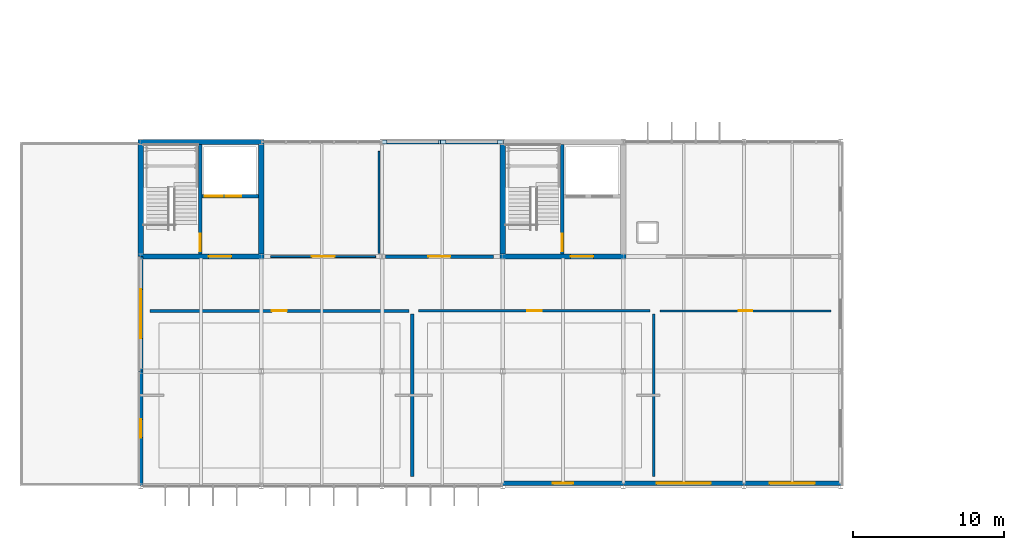
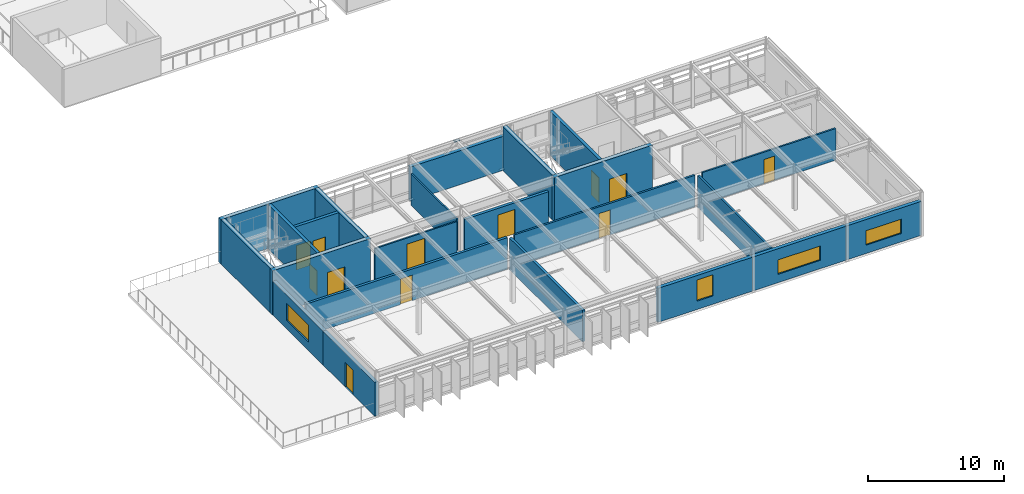
# One storey, part 15 of 21: 23 walls, 12 doors, 4 plates, 4 windows, 16 openings.
"""IFC4 building model written with IfcOpenShell, lengths in metres."""

from ifc_helpers import new_model, si_unit, direction, frame, frame_2d, origin, origin_2d, place, context, subcontext, project, spatial, rectangle, extrude, material, layer, layer_set, type_object, element, fill, save


model = new_model("IFC4")

# Units and contexts
model_context = context("Model", 3, precision=1e-05, world=origin(), true_north=direction((0.0, 1.0)))
body_context = subcontext(model_context, "Body", "Model", "MODEL_VIEW")
ifc_project = project(units=[si_unit("LENGTHUNIT", "METRE"), si_unit("AREAUNIT", "SQUARE_METRE"), si_unit("VOLUMEUNIT", "CUBIC_METRE"), si_unit("PLANEANGLEUNIT", "RADIAN"), si_unit("MASSUNIT", "GRAM", prefix="KILO")], contexts=[model_context])

# Site, building, storey
site_placement = place(None, origin())
site = spatial("IfcSite", under=ifc_project, at=site_placement, CompositionType="ELEMENT")
building_placement = place(site_placement, origin())
building = spatial("IfcBuilding", under=site, at=building_placement, Name="Zulena Civic Courthouse", CompositionType="ELEMENT")
storey_placement = place(building_placement, frame((0.0, 0.0, 37.800048828125)))
storey = spatial("IfcBuildingStorey", under=building, at=storey_placement, Name="L08", CompositionType="ELEMENT", Elevation=37.800048828125)

# Plates
ifc_material_1 = material(Name="Steel ASTM A572 Grade 50", Category="steel")
ifc_layer_1 = layer(ifc_material_1, 0.02197265625)
ifc_layer_set_1 = layer_set([ifc_layer_1], Name="Steel ASTM A572 Grade 50")
plate_type = type_object("IfcPlateType", Name="GussetPlate_380x280x22", PredefinedType="SHEET", material=ifc_layer_set_1)
for number, where, z_axis, x_axis, name in (
    (1, (36.14990234375, 22.800048828125, -0.0009765625), (0.0, 0.0, 1.0), (1.0, 0.0, 0.0), "plate:br:V2:L08:1:0:0"),
    (2, (39.949951171875, 22.800048828125, 3.948974609375), (0.0, 0.0, 1.0), (1.0, 0.0, 0.0), "plate:br:V2:L08:1:0:1"),
    (3, (43.85009765625, 22.800048828125, -0.0009765625), (0.0, 0.0, 1.0), (1.0, 0.0, 0.0), "plate:br:V2:L08:1:1:0"),
    (4, (40.050048828125, 22.800048828125, 3.948974609375), (0.0, 0.0, 1.0), (1.0, 0.0, 0.0), "plate:br:V2:L08:1:1:1"),
):
    element("IfcPlate", number, at=place(storey_placement, frame(where, z_axis=z_axis, x_axis=x_axis)), inside=storey, type_object=plate_type, Name=name, PredefinedType="SHEET", context=body_context, shape_type="SweptSolid", body=[
        extrude(rectangle(XDim=0.3798828125, YDim=0.280029296875, at=origin_2d()), origin(), (0.0, 0.0, 1.0), 0.02197265625),
    ])

# Wall, opening, door
ifc_material_2 = material(Name="Concrete C40/50", Category="concrete")
ifc_layer_2 = layer(ifc_material_2, 0.25)
ifc_layer_set_2 = layer_set([ifc_layer_2], Name="Concrete C40/50")
wall_type_1 = type_object("IfcWallType", Name="CoreShearWall_RC250", PredefinedType="SHEAR", material=ifc_layer_set_2)
wall_1_placement = place(storey_placement, frame((23.949951171875, 15.375, 0.0), z_axis=(0.0, 0.0, 1.0), x_axis=(0.0, 1.0, 0.0)))
wall_1 = element("IfcWall", 5, at=wall_1_placement, inside=storey, type_object=wall_type_1, Name="cwall:K2A:L08:DIV", PredefinedType="SHEAR", context=body_context, shape_type="SweptSolid", body=[
    extrude(rectangle(XDim=7.25, YDim=0.25, at=frame_2d((3.625, 0.0))), origin(), (0.0, 0.0, 1.0), 3.989990234375),
])
opening_1_placement = place(wall_1_placement, frame((0.179931640625, 0.0, 0.0)))
opening_1 = element("IfcOpeningElement", 6, at=opening_1_placement, cuts=wall_1, Name="Opening ID08", PredefinedType="OPENING", context=body_context, shape_type="SweptSolid", body=[
    extrude(rectangle(XDim=1.14990234375, YDim=2.199951171875, at=frame_2d((0.574951171875, 1.10009765625))), frame((0.0, 0.135009765625, 0.0), z_axis=(0.0, -1.0, 0.0), x_axis=(1.0, 0.0, 0.0)), (0.0, 0.0, 1.0), 0.27001953125),
])
ifc_material_3 = material(Name="Fire-rated galvanised steel ASTM A653 Grade 50", Category="steel")
door_type_1 = type_object("IfcDoorType", Name="IntDoor_Stair_1150x2200", OperationType="NOTDEFINED", PredefinedType="DOOR", material=ifc_material_3)
door_1_placement = place(opening_1_placement, origin())
door_1 = element("IfcDoor", 7, at=door_1_placement, inside=storey, type_object=door_type_1, Name="door:stair:K2A:L08", OperationType="SINGLE_SWING_LEFT", OverallHeight=2.199951171875, OverallWidth=1.14990234375, PredefinedType="DOOR", context=body_context, shape_type="SweptSolid", body=[
    extrude(rectangle(XDim=1.14990234375, YDim=2.199951171875, at=frame_2d((0.574951171875, 1.10009765625))), frame((0.0, 0.02490234375, 0.0), z_axis=(0.0, -1.0, 0.0), x_axis=(1.0, 0.0, 0.0)), (0.0, 0.0, 1.0), 0.050048828125),
])
fill(opening_1, door_1)

# Wall, openings, doors
wall_2_placement = place(storey_placement, frame((24.074951171875, 19.199951171875, 0.0), z_axis=(0.0, 0.0, 1.0), x_axis=(1.0, 0.0, 0.0)))
wall_2 = element("IfcWall", 8, at=wall_2_placement, inside=storey, type_object=wall_type_1, Name="cwall:K2A:L08:SHF", PredefinedType="SHEAR", context=body_context, shape_type="SweptSolid", body=[
    extrude(rectangle(XDim=3.75, YDim=0.25, at=frame_2d((1.875, 0.0))), origin(), (0.0, 0.0, 1.0), 3.989990234375),
])
opening_2_placement = place(wall_2_placement, frame((0.179931640625, 0.0, 0.0)))
opening_2 = element("IfcOpeningElement", 9, at=opening_2_placement, cuts=wall_2, Name="Opening LD01", PredefinedType="OPENING", context=body_context, shape_type="SweptSolid", body=[
    extrude(rectangle(XDim=1.199951171875, YDim=2.199951171875, at=frame_2d((0.60009765625, 1.10009765625))), frame((0.0, 0.135009765625, 0.0), z_axis=(0.0, -1.0, 0.0), x_axis=(1.0, 0.0, 0.0)), (0.0, 0.0, 1.0), 0.27001953125),
])
opening_3_placement = place(wall_2_placement, frame((1.550048828125, 0.0, 0.0)))
opening_3 = element("IfcOpeningElement", 10, at=opening_3_placement, cuts=wall_2, Name="Opening LD03", PredefinedType="OPENING", context=body_context, shape_type="SweptSolid", body=[
    extrude(rectangle(XDim=1.050048828125, YDim=2.199951171875, at=frame_2d((0.52490234375, 1.10009765625))), frame((0.0, 0.135009765625, 0.0), z_axis=(0.0, -1.0, 0.0), x_axis=(1.0, 0.0, 0.0)), (0.0, 0.0, 1.0), 0.27001953125),
])
door_type_2 = type_object("IfcDoorType", Name="LiftLandingDoor_FF_1200x2200", OperationType="SLIDING_TO_LEFT", PredefinedType="DOOR", material=ifc_material_3)
door_2_placement = place(opening_2_placement, origin())
door_2 = element("IfcDoor", 11, at=door_2_placement, inside=storey, type_object=door_type_2, Name="door:ld:FL-01:L08", OperationType="SLIDING_TO_LEFT", OverallHeight=2.199951171875, OverallWidth=1.199951171875, PredefinedType="DOOR", context=body_context, shape_type="SweptSolid", body=[
    extrude(rectangle(XDim=1.199951171875, YDim=2.199951171875, at=frame_2d((0.60009765625, 1.10009765625))), frame((0.0, 0.02490234375, 0.0), z_axis=(0.0, -1.0, 0.0), x_axis=(1.0, 0.0, 0.0)), (0.0, 0.0, 1.0), 0.050048828125),
])
fill(opening_2, door_2)
door_type_3 = type_object("IfcDoorType", Name="LiftLandingDoor_Jud_1050x2200", OperationType="SLIDING_TO_RIGHT", PredefinedType="DOOR", material=ifc_material_3)
door_3_placement = place(opening_3_placement, origin())
door_3 = element("IfcDoor", 12, at=door_3_placement, inside=storey, type_object=door_type_3, Name="door:ld:JL-01:L08", OperationType="SLIDING_TO_RIGHT", OverallHeight=2.199951171875, OverallWidth=1.050048828125, PredefinedType="DOOR", context=body_context, shape_type="SweptSolid", body=[
    extrude(rectangle(XDim=1.050048828125, YDim=2.199951171875, at=frame_2d((0.52490234375, 1.10009765625))), frame((0.0, 0.02490234375, 0.0), z_axis=(0.0, -1.0, 0.0), x_axis=(1.0, 0.0, 0.0)), (0.0, 0.0, 1.0), 0.050048828125),
])
fill(opening_3, door_3)

# Wall, opening, door
wall_3_placement = place(storey_placement, frame((47.949951171875, 15.375, 0.0), z_axis=(0.0, 0.0, 1.0), x_axis=(0.0, 1.0, 0.0)))
wall_3 = element("IfcWall", 13, at=wall_3_placement, inside=storey, type_object=wall_type_1, Name="cwall:K2B:L08:DIV", PredefinedType="SHEAR", context=body_context, shape_type="SweptSolid", body=[
    extrude(rectangle(XDim=7.25, YDim=0.25, at=frame_2d((3.625, 0.0))), origin(), (0.0, 0.0, 1.0), 3.989990234375),
])
opening_4_placement = place(wall_3_placement, frame((0.179931640625, 0.0, 0.0)))
opening_4 = element("IfcOpeningElement", 14, at=opening_4_placement, cuts=wall_3, Name="Opening ID08", PredefinedType="OPENING", context=body_context, shape_type="SweptSolid", body=[
    extrude(rectangle(XDim=1.14990234375, YDim=2.199951171875, at=frame_2d((0.574951171875, 1.10009765625))), frame((0.0, 0.135009765625, 0.0), z_axis=(0.0, -1.0, 0.0), x_axis=(1.0, 0.0, 0.0)), (0.0, 0.0, 1.0), 0.27001953125),
])
door_4_placement = place(opening_4_placement, origin())
door_4 = element("IfcDoor", 15, at=door_4_placement, inside=storey, type_object=door_type_1, Name="door:stair:K2B:L08", OperationType="SINGLE_SWING_LEFT", OverallHeight=2.199951171875, OverallWidth=1.14990234375, PredefinedType="DOOR", context=body_context, shape_type="SweptSolid", body=[
    extrude(rectangle(XDim=1.14990234375, YDim=2.199951171875, at=frame_2d((0.574951171875, 1.10009765625))), frame((0.0, 0.02490234375, 0.0), z_axis=(0.0, -1.0, 0.0), x_axis=(1.0, 0.0, 0.0)), (0.0, 0.0, 1.0), 0.050048828125),
])
fill(opening_4, door_4)

ifc_layer_3 = layer(ifc_material_2, 0.35009765625)
ifc_layer_set_3 = layer_set([ifc_layer_3], Name="Concrete C40/50")
wall_type_2 = type_object("IfcWallType", Name="CoreShearWall_RC350", PredefinedType="SHEAR", material=ifc_layer_set_3)
wall_4_placement = place(storey_placement, frame((19.824951171875, 15.199951171875, 0.0), z_axis=(0.0, 0.0, 1.0), x_axis=(1.0, 0.0, 0.0)))
wall_4 = element("IfcWall", 16, at=wall_4_placement, inside=storey, type_object=wall_type_2, Name="cwall:K2A:L08:S", PredefinedType="SHEAR", context=body_context, shape_type="SweptSolid", body=[
    extrude(rectangle(XDim=8.35009765625, YDim=0.35009765625, at=frame_2d((4.175048828125, 0.0))), origin(), (0.0, 0.0, 1.0), 3.989990234375),
])
opening_5_placement = place(wall_4_placement, frame((4.68505859375, 0.0, 0.0)))
opening_5 = element("IfcOpeningElement", 17, at=opening_5_placement, cuts=wall_4, Name="Opening ID05", PredefinedType="OPENING", context=body_context, shape_type="SweptSolid", body=[
    extrude(rectangle(XDim=1.5, YDim=2.199951171875, at=frame_2d((0.75, 1.10009765625))), frame((0.0, 0.18505859375, 0.0), z_axis=(0.0, -1.0, 0.0), x_axis=(1.0, 0.0, 0.0)), (0.0, 0.0, 1.0), 0.3701171875),
])
door_type_4 = type_object("IfcDoorType", Name="IntDoor_FFLobby_1500x2200", OperationType="DOUBLE_DOOR_SINGLE_SWING", PredefinedType="DOOR", material=ifc_material_3)
door_5_placement = place(opening_5_placement, origin())
door_5 = element("IfcDoor", 18, at=door_5_placement, inside=storey, type_object=door_type_4, Name="door:corelob:K2A:L08", OperationType="DOUBLE_DOOR_SINGLE_SWING", OverallHeight=2.199951171875, OverallWidth=1.5, PredefinedType="DOOR", context=body_context, shape_type="SweptSolid", body=[
    extrude(rectangle(XDim=1.5, YDim=2.199951171875, at=frame_2d((0.75, 1.10009765625))), frame((0.0, 0.02490234375, 0.0), z_axis=(0.0, -1.0, 0.0), x_axis=(1.0, 0.0, 0.0)), (0.0, 0.0, 1.0), 0.050048828125),
])
fill(opening_5, door_5)

# Walls
wall_5_placement = place(storey_placement, frame((19.824951171875, 22.800048828125, 0.0), z_axis=(0.0, 0.0, 1.0), x_axis=(1.0, 0.0, 0.0)))
element("IfcWall", 19, at=wall_5_placement, inside=storey, type_object=wall_type_2, Name="cwall:K2A:L08:N", PredefinedType="SHEAR", context=body_context, shape_type="SweptSolid", body=[
    extrude(rectangle(XDim=8.35009765625, YDim=0.35009765625, at=frame_2d((4.175048828125, 0.0))), origin(), (0.0, 0.0, 1.0), 3.989990234375),
])
for number, where, z_axis, x_axis, name in (
    (20, (20.0, 15.375, 0.0), (0.0, 0.0, 1.0), (0.0, 1.0, 0.0), "cwall:K2A:L08:W"),
    (21, (28.0, 15.375, 0.0), (0.0, 0.0, 1.0), (0.0, 1.0, 0.0), "cwall:K2A:L08:E"),
):
    element("IfcWall", number, at=place(storey_placement, frame(where, z_axis=z_axis, x_axis=x_axis)), inside=storey, type_object=wall_type_2, Name=name, PredefinedType="SHEAR", context=body_context, shape_type="SweptSolid", body=[
        extrude(rectangle(XDim=7.25, YDim=0.35009765625, at=frame_2d((3.625, 0.0))), origin(), (0.0, 0.0, 1.0), 3.989990234375),
    ])

# Wall, opening, door
wall_6_placement = place(storey_placement, frame((43.824951171875, 15.199951171875, 0.0), z_axis=(0.0, 0.0, 1.0), x_axis=(1.0, 0.0, 0.0)))
wall_6 = element("IfcWall", 22, at=wall_6_placement, inside=storey, type_object=wall_type_2, Name="cwall:K2B:L08:S", PredefinedType="SHEAR", context=body_context, shape_type="SweptSolid", body=[
    extrude(rectangle(XDim=8.35009765625, YDim=0.35009765625, at=frame_2d((4.175048828125, 0.0))), origin(), (0.0, 0.0, 1.0), 3.989990234375),
])
opening_6_placement = place(wall_6_placement, frame((4.68505859375, 0.0, 0.0)))
opening_6 = element("IfcOpeningElement", 23, at=opening_6_placement, cuts=wall_6, Name="Opening ID05", PredefinedType="OPENING", context=body_context, shape_type="SweptSolid", body=[
    extrude(rectangle(XDim=1.5, YDim=2.199951171875, at=frame_2d((0.75, 1.10009765625))), frame((0.0, 0.18505859375, 0.0), z_axis=(0.0, -1.0, 0.0), x_axis=(1.0, 0.0, 0.0)), (0.0, 0.0, 1.0), 0.3701171875),
])
door_6_placement = place(opening_6_placement, origin())
door_6 = element("IfcDoor", 24, at=door_6_placement, inside=storey, type_object=door_type_4, Name="door:corelob:K2B:L08", OperationType="DOUBLE_DOOR_SINGLE_SWING", OverallHeight=2.199951171875, OverallWidth=1.5, PredefinedType="DOOR", context=body_context, shape_type="SweptSolid", body=[
    extrude(rectangle(XDim=1.5, YDim=2.199951171875, at=frame_2d((0.75, 1.10009765625))), frame((0.0, 0.02490234375, 0.0), z_axis=(0.0, -1.0, 0.0), x_axis=(1.0, 0.0, 0.0)), (0.0, 0.0, 1.0), 0.050048828125),
])
fill(opening_6, door_6)

# Wall
wall_7_placement = place(storey_placement, frame((44.0, 15.375, 0.0), z_axis=(0.0, 0.0, 1.0), x_axis=(0.0, 1.0, 0.0)))
element("IfcWall", 25, at=wall_7_placement, inside=storey, type_object=wall_type_2, Name="cwall:K2B:L08:W", PredefinedType="SHEAR", context=body_context, shape_type="SweptSolid", body=[
    extrude(rectangle(XDim=7.25, YDim=0.35009765625, at=frame_2d((3.625, 0.0))), origin(), (0.0, 0.0, 1.0), 3.989990234375),
])

# Wall, opening, door
ifc_material_4 = material(Name="White architectural precast concrete C40/50", Category="concrete")
ifc_layer_4 = layer(ifc_material_4, 0.300048828125)
ifc_layer_set_4 = layer_set([ifc_layer_4], Name="White architectural precast concrete C40/50")
wall_type_3 = type_object("IfcWallType", Name="ExtWall_WhitePrecast_300", PredefinedType="STANDARD", material=ifc_layer_set_4)
wall_8_placement = place(storey_placement, frame((20.0, -0.02001953125, 0.0), z_axis=(0.0, 0.0, 1.0), x_axis=(0.0, 1.0, 0.0)))
wall_8 = element("IfcWall", 26, at=wall_8_placement, inside=storey, type_object=wall_type_3, Name="ewall:V2:L08:0:0", PredefinedType="STANDARD", context=body_context, shape_type="SweptSolid", body=[
    extrude(rectangle(XDim=7.64013671875, YDim=0.300048828125, at=frame_2d((3.820068359375, 0.0))), origin(), (0.0, 0.0, 1.0), 3.06005859375),
])
opening_7_placement = place(wall_8_placement, frame((3.219970703125, 0.0, 0.0)))
opening_7 = element("IfcOpeningElement", 27, at=opening_7_placement, cuts=wall_8, Name="Opening TD02", PredefinedType="OPENING", context=body_context, shape_type="SweptSolid", body=[
    extrude(rectangle(XDim=1.199951171875, YDim=2.199951171875, at=frame_2d((0.60009765625, 1.10009765625))), frame((0.0, 0.159912109375, 0.0), z_axis=(0.0, -1.0, 0.0), x_axis=(1.0, 0.0, 0.0)), (0.0, 0.0, 1.0), 0.320068359375),
])
ifc_material_5 = material(Name="Galvanised architectural steel ASTM A653 Grade 50", Category="steel")
door_type_5 = type_object("IfcDoorType", Name="ExtDoor_Terrace_1200x2200", OperationType="NOTDEFINED", PredefinedType="DOOR", material=ifc_material_5)
door_7_placement = place(opening_7_placement, origin())
door_7 = element("IfcDoor", 28, at=door_7_placement, inside=storey, type_object=door_type_5, Name="door:terrace:TR-V2-L08", OperationType="SINGLE_SWING_RIGHT", OverallHeight=2.199951171875, OverallWidth=1.199951171875, PredefinedType="DOOR", context=body_context, shape_type="SweptSolid", body=[
    extrude(rectangle(XDim=1.199951171875, YDim=2.199951171875, at=frame_2d((0.60009765625, 1.10009765625))), frame((0.0, 0.02490234375, 0.0), z_axis=(0.0, -1.0, 0.0), x_axis=(1.0, 0.0, 0.0)), (0.0, 0.0, 1.0), 0.050048828125),
])
fill(opening_7, door_7)

# Wall, opening, window
wall_9_placement = place(storey_placement, frame((20.0, 7.580078125, 0.0), z_axis=(0.0, 0.0, 1.0), x_axis=(0.0, 1.0, 0.0)))
wall_9 = element("IfcWall", 29, at=wall_9_placement, inside=storey, type_object=wall_type_3, Name="ewall:V2:L08:0:1", PredefinedType="STANDARD", context=body_context, shape_type="SweptSolid", body=[
    extrude(rectangle(XDim=7.639892578125, YDim=0.300048828125, at=frame_2d((3.81982421875, 0.0))), origin(), (0.0, 0.0, 1.0), 3.06005859375),
])
opening_8_placement = place(wall_9_placement, frame((2.195068359375, 0.0, 0.75)))
opening_8 = element("IfcOpeningElement", 30, at=opening_8_placement, cuts=wall_9, Name="Opening WN29", PredefinedType="OPENING", context=body_context, shape_type="SweptSolid", body=[
    extrude(rectangle(XDim=3.25, YDim=1.550048828125, at=frame_2d((1.625, 0.77490234375))), frame((0.0, 0.159912109375, 0.0), z_axis=(0.0, -1.0, 0.0), x_axis=(1.0, 0.0, 0.0)), (0.0, 0.0, 1.0), 0.320068359375),
])
ifc_material_6 = material(Name="Double-silver low-E laminated solar-control glass", Category="glass")
window_type_1 = type_object("IfcWindowType", Name="Win_3250x1550", PartitioningType="DOUBLE_PANEL_VERTICAL", PredefinedType="WINDOW", material=ifc_material_6)
window_1_placement = place(opening_8_placement, origin())
window_1 = element("IfcWindow", 31, at=window_1_placement, inside=storey, type_object=window_type_1, Name="win:V2:L08:0:1", OverallHeight=1.550048828125, OverallWidth=3.25, PartitioningType="SINGLE_PANEL", PredefinedType="WINDOW", context=body_context, shape_type="SweptSolid", body=[
    extrude(rectangle(XDim=3.25, YDim=1.550048828125, at=frame_2d((1.625, 0.77490234375))), frame((0.0, 0.030029296875, 0.0), z_axis=(0.0, -1.0, 0.0), x_axis=(1.0, 0.0, 0.0)), (0.0, 0.0, 1.0), 0.06005859375),
])
fill(opening_8, window_1)

# Wall
wall_10_placement = place(storey_placement, frame((35.97998046875, 22.800048828125, 0.0), z_axis=(0.0, 0.0, 1.0), x_axis=(1.0, 0.0, 0.0)))
element("IfcWall", 32, at=wall_10_placement, inside=storey, type_object=wall_type_3, Name="ewall:V2:L08:1:2", PredefinedType="STANDARD", context=body_context, shape_type="SweptSolid", body=[
    extrude(rectangle(XDim=8.0400390625, YDim=0.300048828125, at=frame_2d((4.02001953125, 0.0))), origin(), (0.0, 0.0, 1.0), 3.06005859375),
])

# Wall, opening, window
wall_11_placement = place(storey_placement, frame((66.419921875, 0.159912109375, 0.0), z_axis=(0.0, 0.0, 1.0), x_axis=(-1.0, 0.0, 0.0)))
wall_11 = element("IfcWall", 33, at=wall_11_placement, inside=storey, type_object=wall_type_3, Name="ewall:V2:L08:3:0", PredefinedType="STANDARD", context=body_context, shape_type="SweptSolid", body=[
    extrude(rectangle(XDim=6.43994140625, YDim=0.300048828125, at=frame_2d((3.219970703125, 0.0))), origin(), (0.0, 0.0, 1.0), 3.06005859375),
])
opening_9_placement = place(wall_11_placement, frame((1.719970703125, 0.0, 0.75)))
opening_9 = element("IfcOpeningElement", 34, at=opening_9_placement, cuts=wall_11, Name="Opening WN33", PredefinedType="OPENING", context=body_context, shape_type="SweptSolid", body=[
    extrude(rectangle(XDim=3.0, YDim=1.300048828125, at=frame_2d((1.5, 0.64990234375))), frame((0.0, 0.159912109375, 0.0), z_axis=(0.0, -1.0, 0.0), x_axis=(1.0, 0.0, 0.0)), (0.0, 0.0, 1.0), 0.320068359375),
])
window_type_2 = type_object("IfcWindowType", Name="Win_3000x1300", PartitioningType="DOUBLE_PANEL_VERTICAL", PredefinedType="WINDOW", material=ifc_material_6)
window_2_placement = place(opening_9_placement, origin())
window_2 = element("IfcWindow", 35, at=window_2_placement, inside=storey, type_object=window_type_2, Name="win:V2:L08:3:0", OverallHeight=1.300048828125, OverallWidth=3.0, PartitioningType="SINGLE_PANEL", PredefinedType="WINDOW", context=body_context, shape_type="SweptSolid", body=[
    extrude(rectangle(XDim=3.0, YDim=1.300048828125, at=frame_2d((1.5, 0.64990234375))), frame((0.0, 0.030029296875, 0.0), z_axis=(0.0, -1.0, 0.0), x_axis=(1.0, 0.0, 0.0)), (0.0, 0.0, 1.0), 0.06005859375),
])
fill(opening_9, window_2)

wall_12_placement = place(storey_placement, frame((60.02001953125, 0.159912109375, 0.0), z_axis=(0.0, 0.0, 1.0), x_axis=(-1.0, 0.0, 0.0)))
wall_12 = element("IfcWall", 36, at=wall_12_placement, inside=storey, type_object=wall_type_3, Name="ewall:V2:L08:3:1", PredefinedType="STANDARD", context=body_context, shape_type="SweptSolid", body=[
    extrude(rectangle(XDim=8.0400390625, YDim=0.300048828125, at=frame_2d((4.02001953125, 0.0))), origin(), (0.0, 0.0, 1.0), 3.06005859375),
])
opening_10_placement = place(wall_12_placement, frame((2.219970703125, 0.0, 0.75)))
opening_10 = element("IfcOpeningElement", 37, at=opening_10_placement, cuts=wall_12, Name="Opening WN34", PredefinedType="OPENING", context=body_context, shape_type="SweptSolid", body=[
    extrude(rectangle(XDim=3.60009765625, YDim=1.300048828125, at=frame_2d((1.800048828125, 0.64990234375))), frame((0.0, 0.159912109375, 0.0), z_axis=(0.0, -1.0, 0.0), x_axis=(1.0, 0.0, 0.0)), (0.0, 0.0, 1.0), 0.320068359375),
])
window_type_3 = type_object("IfcWindowType", Name="Win_3600x1300", PartitioningType="DOUBLE_PANEL_VERTICAL", PredefinedType="WINDOW", material=ifc_material_6)
window_3_placement = place(opening_10_placement, origin())
window_3 = element("IfcWindow", 38, at=window_3_placement, inside=storey, type_object=window_type_3, Name="win:V2:L08:3:1", OverallHeight=1.300048828125, OverallWidth=3.60009765625, PartitioningType="SINGLE_PANEL", PredefinedType="WINDOW", context=body_context, shape_type="SweptSolid", body=[
    extrude(rectangle(XDim=3.60009765625, YDim=1.300048828125, at=frame_2d((1.800048828125, 0.64990234375))), frame((0.0, 0.030029296875, 0.0), z_axis=(0.0, -1.0, 0.0), x_axis=(1.0, 0.0, 0.0)), (0.0, 0.0, 1.0), 0.06005859375),
])
fill(opening_10, window_3)

wall_13_placement = place(storey_placement, frame((52.02001953125, 0.159912109375, 0.0), z_axis=(0.0, 0.0, 1.0), x_axis=(-1.0, 0.0, 0.0)))
wall_13 = element("IfcWall", 39, at=wall_13_placement, inside=storey, type_object=wall_type_3, Name="ewall:V2:L08:3:2", PredefinedType="STANDARD", context=body_context, shape_type="SweptSolid", body=[
    extrude(rectangle(XDim=8.0400390625, YDim=0.300048828125, at=frame_2d((4.02001953125, 0.0))), origin(), (0.0, 0.0, 1.0), 3.06005859375),
])
opening_11_placement = place(wall_13_placement, frame((3.344970703125, 0.0, 0.75)))
opening_11 = element("IfcOpeningElement", 40, at=opening_11_placement, cuts=wall_13, Name="Opening WN35", PredefinedType="OPENING", context=body_context, shape_type="SweptSolid", body=[
    extrude(rectangle(XDim=1.35009765625, YDim=1.89990234375, at=frame_2d((0.675048828125, 0.949951171875))), frame((0.0, 0.159912109375, 0.0), z_axis=(0.0, -1.0, 0.0), x_axis=(1.0, 0.0, 0.0)), (0.0, 0.0, 1.0), 0.320068359375),
])
window_type_4 = type_object("IfcWindowType", Name="Win_1350x1900", PartitioningType="SINGLE_PANEL", PredefinedType="WINDOW", material=ifc_material_6)
window_4_placement = place(opening_11_placement, origin())
window_4 = element("IfcWindow", 41, at=window_4_placement, inside=storey, type_object=window_type_4, Name="win:V2:L08:3:2", OverallHeight=1.89990234375, OverallWidth=1.35009765625, PartitioningType="SINGLE_PANEL", PredefinedType="WINDOW", context=body_context, shape_type="SweptSolid", body=[
    extrude(rectangle(XDim=1.35009765625, YDim=1.89990234375, at=frame_2d((0.675048828125, 0.949951171875))), frame((0.0, 0.030029296875, 0.0), z_axis=(0.0, -1.0, 0.0), x_axis=(1.0, 0.0, 0.0)), (0.0, 0.0, 1.0), 0.06005859375),
])
fill(opening_11, window_4)

# Wall, opening, door
ifc_material_7 = material(Name="Acoustic fire-rated gypsum board assembly", Category="masonry")
ifc_layer_5 = layer(ifc_material_7, 0.14599609375)
ifc_layer_set_5 = layer_set([ifc_layer_5], Name="Acoustic fire-rated gypsum board assembly")
wall_type_4 = type_object("IfcWallType", Name="PartWall_Chambers_146", PredefinedType="PARTITIONING", material=ifc_layer_set_5)
wall_14_placement = place(storey_placement, frame((54.419921875, 11.60009765625, 0.0), z_axis=(0.0, 0.0, 1.0), x_axis=(1.0, 0.0, 0.0)))
wall_14 = element("IfcWall", 42, at=wall_14_placement, inside=storey, type_object=wall_type_4, Name="pwall:L08:360:0", PredefinedType="PARTITIONING", context=body_context, shape_type="SweptSolid", body=[
    extrude(rectangle(XDim=11.360107421875, YDim=0.14599609375, at=frame_2d((5.68017578125, 0.0))), origin(), (0.0, 0.0, 1.0), 2.849853515625),
])
opening_12_placement = place(wall_14_placement, frame((5.219970703125, 0.0, 0.0)))
opening_12 = element("IfcOpeningElement", 43, at=opening_12_placement, cuts=wall_14, Name="Opening ID15", PredefinedType="OPENING", context=body_context, shape_type="SweptSolid", body=[
    extrude(rectangle(XDim=0.919921875, YDim=2.199951171875, at=frame_2d((0.4599609375, 1.10009765625))), frame((0.0, 0.0830078125, 0.0), z_axis=(0.0, -1.0, 0.0), x_axis=(1.0, 0.0, 0.0)), (0.0, 0.0, 1.0), 0.166015625),
])
ifc_material_8 = material(Name="Solid-core acoustic hardwood timber", Category="wood")
door_type_6 = type_object("IfcDoorType", Name="IntDoor_Chambers_920x2200", OperationType="NOTDEFINED", PredefinedType="DOOR", material=ifc_material_8)
door_8_placement = place(opening_12_placement, origin())
door_8 = element("IfcDoor", 44, at=door_8_placement, inside=storey, type_object=door_type_6, Name="door:rm:L08:360", OperationType="SINGLE_SWING_LEFT", OverallHeight=2.199951171875, OverallWidth=0.919921875, PredefinedType="DOOR", context=body_context, shape_type="SweptSolid", body=[
    extrude(rectangle(XDim=0.919921875, YDim=2.199951171875, at=frame_2d((0.4599609375, 1.10009765625))), frame((0.0, 0.02490234375, 0.0), z_axis=(0.0, -1.0, 0.0), x_axis=(1.0, 0.0, 0.0)), (0.0, 0.0, 1.0), 0.050048828125),
])
fill(opening_12, door_8)

ifc_layer_6 = layer(ifc_material_7, 0.215087890625)
ifc_layer_set_6 = layer_set([ifc_layer_6], Name="Acoustic fire-rated gypsum board assembly")
wall_type_5 = type_object("IfcWallType", Name="PartWall_CourtAcoustic_215", PredefinedType="PARTITIONING", material=ifc_layer_set_6)
wall_15_placement = place(storey_placement, frame((20.6201171875, 11.60009765625, 0.0), z_axis=(0.0, 0.0, 1.0), x_axis=(1.0, 0.0, 0.0)))
wall_15 = element("IfcWall", 45, at=wall_15_placement, inside=storey, type_object=wall_type_5, Name="pwall:L08:358:0", PredefinedType="PARTITIONING", context=body_context, shape_type="SweptSolid", body=[
    extrude(rectangle(XDim=17.159912109375, YDim=0.215087890625, at=frame_2d((8.580078125, 0.0))), origin(), (0.0, 0.0, 1.0), 2.849853515625),
])
opening_13_placement = place(wall_15_placement, frame((8.080078125, 0.0, 0.0)))
opening_13 = element("IfcOpeningElement", 46, at=opening_13_placement, cuts=wall_15, Name="Opening ID13", PredefinedType="OPENING", context=body_context, shape_type="SweptSolid", body=[
    extrude(rectangle(XDim=1.0, YDim=2.300048828125, at=frame_2d((0.5, 1.14990234375))), frame((0.0, 0.117431640625, 0.0), z_axis=(0.0, -1.0, 0.0), x_axis=(1.0, 0.0, 0.0)), (0.0, 0.0, 1.0), 0.235107421875),
])
door_type_7 = type_object("IfcDoorType", Name="IntDoor_Chambers_1000x2300", OperationType="NOTDEFINED", PredefinedType="DOOR", material=ifc_material_8)
door_9_placement = place(opening_13_placement, origin())
door_9 = element("IfcDoor", 47, at=door_9_placement, inside=storey, type_object=door_type_7, Name="door:rm:L08:358", OperationType="SINGLE_SWING_LEFT", OverallHeight=2.300048828125, OverallWidth=1.0, PredefinedType="DOOR", context=body_context, shape_type="SweptSolid", body=[
    extrude(rectangle(XDim=1.0, YDim=2.300048828125, at=frame_2d((0.5, 1.14990234375))), frame((0.0, 0.02490234375, 0.0), z_axis=(0.0, -1.0, 0.0), x_axis=(1.0, 0.0, 0.0)), (0.0, 0.0, 1.0), 0.050048828125),
])
fill(opening_13, door_9)

# Wall
wall_16_placement = place(storey_placement, frame((38.0, 0.6201171875, 0.0), z_axis=(0.0, 0.0, 1.0), x_axis=(0.0, 1.0, 0.0)))
element("IfcWall", 48, at=wall_16_placement, inside=storey, type_object=wall_type_5, Name="pwall:L08:358:1", PredefinedType="PARTITIONING", context=body_context, shape_type="SweptSolid", body=[
    extrude(rectangle(XDim=10.759765625, YDim=0.215087890625, at=frame_2d((5.3798828125, 0.0))), origin(), (0.0, 0.0, 1.0), 2.849853515625),
])

# Wall, opening, door
ifc_material_9 = material(Name="Insulated blockwork masonry ASTM C90", Category="masonry")
ifc_layer_7 = layer(ifc_material_9, 0.239990234375)
ifc_layer_set_7 = layer_set([ifc_layer_7], Name="Insulated blockwork masonry ASTM C90")
wall_type_6 = type_object("IfcWallType", Name="PartWall_Custody_240", PredefinedType="PARTITIONING", material=ifc_layer_set_7)
wall_17_placement = place(storey_placement, frame((36.219970703125, 15.199951171875, 0.0), z_axis=(0.0, 0.0, 1.0), x_axis=(1.0, 0.0, 0.0)))
wall_17 = element("IfcWall", 49, at=wall_17_placement, inside=storey, type_object=wall_type_6, Name="pwall:L08:362:0", PredefinedType="PARTITIONING", context=body_context, shape_type="SweptSolid", body=[
    extrude(rectangle(XDim=7.159912109375, YDim=0.239990234375, at=frame_2d((3.580078125, 0.0))), origin(), (0.0, 0.0, 1.0), 2.849853515625),
])
opening_14_placement = place(wall_17_placement, frame((2.85498046875, 0.0, 0.0)))
opening_14 = element("IfcOpeningElement", 50, at=opening_14_placement, cuts=wall_17, Name="Opening ID17", PredefinedType="OPENING", context=body_context, shape_type="SweptSolid", body=[
    extrude(rectangle(XDim=1.449951171875, YDim=2.25, at=frame_2d((0.72509765625, 1.125))), frame((0.0, 0.1298828125, 0.0), z_axis=(0.0, -1.0, 0.0), x_axis=(1.0, 0.0, 0.0)), (0.0, 0.0, 1.0), 0.260009765625),
])
door_type_8 = type_object("IfcDoorType", Name="IntDoor_Registry_1450x2250", OperationType="DOUBLE_DOOR_SINGLE_SWING", PredefinedType="DOOR", material=ifc_material_8)
door_10_placement = place(opening_14_placement, origin())
door_10 = element("IfcDoor", 51, at=door_10_placement, inside=storey, type_object=door_type_8, Name="door:rm:L08:362", OperationType="DOUBLE_DOOR_SINGLE_SWING", OverallHeight=2.25, OverallWidth=1.449951171875, PredefinedType="DOOR", context=body_context, shape_type="SweptSolid", body=[
    extrude(rectangle(XDim=1.449951171875, YDim=2.25, at=frame_2d((0.72509765625, 1.125))), frame((0.0, 0.02490234375, 0.0), z_axis=(0.0, -1.0, 0.0), x_axis=(1.0, 0.0, 0.0)), (0.0, 0.0, 1.0), 0.050048828125),
])
fill(opening_14, door_10)

ifc_layer_8 = layer(ifc_material_7, 0.162109375)
ifc_layer_set_8 = layer_set([ifc_layer_8], Name="Acoustic fire-rated gypsum board assembly")
wall_type_7 = type_object("IfcWallType", Name="PartWall_Jury_162", PredefinedType="PARTITIONING", material=ifc_layer_set_8)
wall_18_placement = place(storey_placement, frame((38.419921875, 11.60009765625, 0.0), z_axis=(0.0, 0.0, 1.0), x_axis=(1.0, 0.0, 0.0)))
wall_18 = element("IfcWall", 52, at=wall_18_placement, inside=storey, type_object=wall_type_7, Name="pwall:L08:359:0", PredefinedType="PARTITIONING", context=body_context, shape_type="SweptSolid", body=[
    extrude(rectangle(XDim=15.360107421875, YDim=0.162109375, at=frame_2d((7.68017578125, 0.0))), origin(), (0.0, 0.0, 1.0), 2.849853515625),
])
opening_15_placement = place(wall_18_placement, frame((7.199951171875, 0.0, 0.0)))
opening_15 = element("IfcOpeningElement", 53, at=opening_15_placement, cuts=wall_18, Name="Opening ID14", PredefinedType="OPENING", context=body_context, shape_type="SweptSolid", body=[
    extrude(rectangle(XDim=0.9599609375, YDim=2.25, at=frame_2d((0.47998046875, 1.125))), frame((0.0, 0.091064453125, 0.0), z_axis=(0.0, -1.0, 0.0), x_axis=(1.0, 0.0, 0.0)), (0.0, 0.0, 1.0), 0.18212890625),
])
door_type_9 = type_object("IfcDoorType", Name="IntDoor_Chambers_960x2250", OperationType="NOTDEFINED", PredefinedType="DOOR", material=ifc_material_8)
door_11_placement = place(opening_15_placement, origin())
door_11 = element("IfcDoor", 54, at=door_11_placement, inside=storey, type_object=door_type_9, Name="door:rm:L08:359", OperationType="SINGLE_SWING_RIGHT", OverallHeight=2.25, OverallWidth=0.9599609375, PredefinedType="DOOR", context=body_context, shape_type="SweptSolid", body=[
    extrude(rectangle(XDim=0.9599609375, YDim=2.25, at=frame_2d((0.47998046875, 1.125))), frame((0.0, 0.02490234375, 0.0), z_axis=(0.0, -1.0, 0.0), x_axis=(1.0, 0.0, 0.0)), (0.0, 0.0, 1.0), 0.050048828125),
])
fill(opening_15, door_11)

# Wall
wall_19_placement = place(storey_placement, frame((54.0, 0.6201171875, 0.0), z_axis=(0.0, 0.0, 1.0), x_axis=(0.0, 1.0, 0.0)))
element("IfcWall", 55, at=wall_19_placement, inside=storey, type_object=wall_type_7, Name="pwall:L08:359:1", PredefinedType="PARTITIONING", context=body_context, shape_type="SweptSolid", body=[
    extrude(rectangle(XDim=10.759765625, YDim=0.162109375, at=frame_2d((5.3798828125, 0.0))), origin(), (0.0, 0.0, 1.0), 2.849853515625),
])

# Wall, opening, door
ifc_layer_9 = layer(ifc_material_9, 0.1279296875)
ifc_layer_set_9 = layer_set([ifc_layer_9], Name="Insulated blockwork masonry ASTM C90")
wall_type_8 = type_object("IfcWallType", Name="PartWall_WetRoom_128", PredefinedType="PARTITIONING", material=ifc_layer_set_9)
wall_20_placement = place(storey_placement, frame((28.6201171875, 15.199951171875, 0.0), z_axis=(0.0, 0.0, 1.0), x_axis=(1.0, 0.0, 0.0)))
wall_20 = element("IfcWall", 56, at=wall_20_placement, inside=storey, type_object=wall_type_8, Name="pwall:L08:361:0", PredefinedType="PARTITIONING", context=body_context, shape_type="SweptSolid", body=[
    extrude(rectangle(XDim=6.9599609375, YDim=0.1279296875, at=frame_2d((3.47998046875, 0.0))), origin(), (0.0, 0.0, 1.0), 2.849853515625),
])
opening_16_placement = place(wall_20_placement, frame((2.705078125, 0.0, 0.0)))
opening_16 = element("IfcOpeningElement", 57, at=opening_16_placement, cuts=wall_20, Name="Opening ID16", PredefinedType="OPENING", context=body_context, shape_type="SweptSolid", body=[
    extrude(rectangle(XDim=1.550048828125, YDim=2.300048828125, at=frame_2d((0.77490234375, 1.14990234375))), frame((0.0, 0.073974609375, 0.0), z_axis=(0.0, -1.0, 0.0), x_axis=(1.0, 0.0, 0.0)), (0.0, 0.0, 1.0), 0.14794921875),
])
door_type_10 = type_object("IfcDoorType", Name="IntDoor_Registry_1550x2300", OperationType="DOUBLE_DOOR_SINGLE_SWING", PredefinedType="DOOR", material=ifc_material_8)
door_12_placement = place(opening_16_placement, origin())
door_12 = element("IfcDoor", 58, at=door_12_placement, inside=storey, type_object=door_type_10, Name="door:rm:L08:361", OperationType="DOUBLE_DOOR_SINGLE_SWING", OverallHeight=2.300048828125, OverallWidth=1.550048828125, PredefinedType="DOOR", context=body_context, shape_type="SweptSolid", body=[
    extrude(rectangle(XDim=1.550048828125, YDim=2.300048828125, at=frame_2d((0.77490234375, 1.14990234375))), frame((0.0, 0.02490234375, 0.0), z_axis=(0.0, -1.0, 0.0), x_axis=(1.0, 0.0, 0.0)), (0.0, 0.0, 1.0), 0.050048828125),
])
fill(opening_16, door_12)

# Wall
wall_21_placement = place(storey_placement, frame((35.800048828125, 15.419921875, 0.0), z_axis=(0.0, 0.0, 1.0), x_axis=(0.0, 1.0, 0.0)))
element("IfcWall", 59, at=wall_21_placement, inside=storey, type_object=wall_type_8, Name="pwall:L08:361:1", PredefinedType="PARTITIONING", context=body_context, shape_type="SweptSolid", body=[
    extrude(rectangle(XDim=6.760009765625, YDim=0.1279296875, at=frame_2d((3.3798828125, 0.0))), origin(), (0.0, 0.0, 1.0), 2.849853515625),
])

save(model, "model.ifc")
